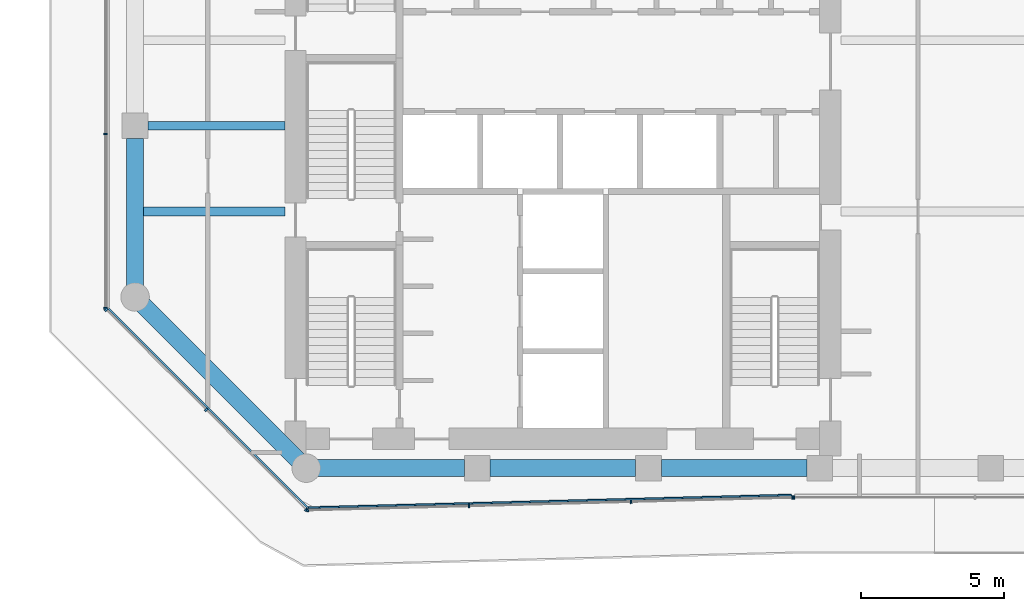
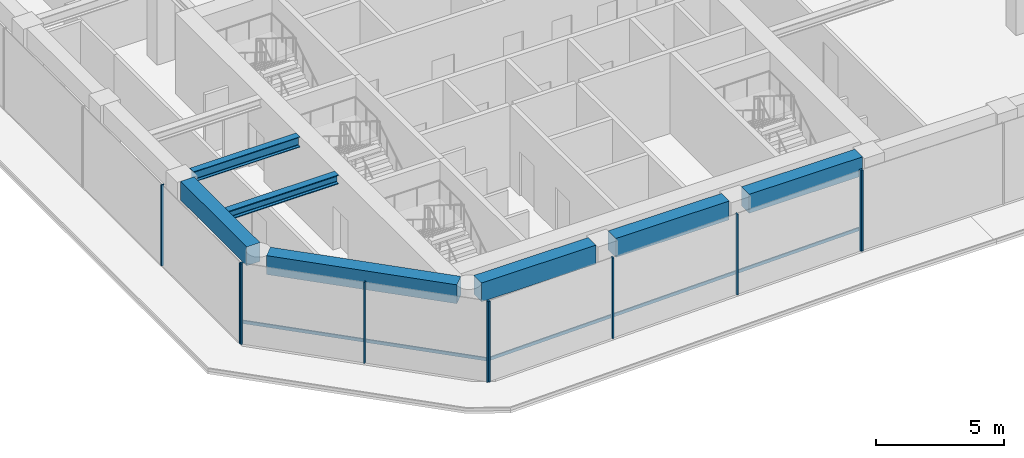
# One storey, part 2 of 23: 12 members, 7 beams, 4 elements without a shape of their own.
"""IFC4 building model written with IfcOpenShell, lengths in metres."""

from ifc_helpers import new_model, si_unit, direction, frame, origin, origin_2d, place, context, subcontext, project, spatial, rectangle, i_section, extrude, material, layer, layer_set, material_profile, profile_set, type_object, element, aggregate, save


model = new_model("IFC4")

# Units and contexts
model_context = context("Model", 3, precision=1e-05, world=origin(), true_north=direction((0.0, 1.0)))
body_context = subcontext(model_context, "Body", "Model", "MODEL_VIEW")
ifc_project = project(units=[si_unit("LENGTHUNIT", "METRE"), si_unit("AREAUNIT", "SQUARE_METRE"), si_unit("VOLUMEUNIT", "CUBIC_METRE"), si_unit("PLANEANGLEUNIT", "RADIAN"), si_unit("MASSUNIT", "GRAM", prefix="KILO")], contexts=[model_context])

# Site, building, storey
site_placement = place(None, origin())
site = spatial("IfcSite", under=ifc_project, at=site_placement, CompositionType="ELEMENT")
building_placement = place(site_placement, origin())
building = spatial("IfcBuilding", under=site, at=building_placement, Name="Welwitschia Terrace Campus", CompositionType="ELEMENT")
storey_placement = place(building_placement, frame((0.0, 0.0, 104.60009765625)))
storey = spatial("IfcBuildingStorey", under=building, at=storey_placement, Name="L23", CompositionType="ELEMENT", Elevation=104.60009765625)

# Beam
ifc_material_1 = material(Name="Steel S355", Category="steel")
ifc_material_profile_1 = material_profile(ifc_material_1, i_section(OverallWidth=0.306884765625, OverallDepth=0.431884765625, WebThickness=0.02099609375, FlangeThickness=0.0400390625, FilletRadius=0.027099609375, at=origin_2d()))
ifc_profile_set_1 = profile_set([ifc_material_profile_1], Name="Steel S355")
beam_type_1 = type_object("IfcBeamType", Name="Interior girder HE 400 M", PredefinedType="BEAM", material=ifc_profile_set_1)
beam_1_placement = place(storey_placement, frame((-0.010009765625, 13.0, 3.6337890625), z_axis=(1.0, 0.0, 0.0), x_axis=(0.0, 1.0, 0.0)))
element("IfcBeam", 1, at=beam_1_placement, inside=storey, type_object=beam_type_1, Name="Girder GB3", PredefinedType="BEAM", context=body_context, shape_type="SweptSolid", body=[
    extrude(i_section(OverallWidth=0.306884765625, OverallDepth=0.431884765625, WebThickness=0.02099609375, FlangeThickness=0.0400390625, FilletRadius=0.027099609375, at=origin_2d()), origin(), (0.0, 0.0, 1.0), 5.259033203125),
])

# Curtain wall, members
ifc_material_2 = material(Name="Bronze anodised aluminium", Category="aluminium")
ifc_layer = layer(ifc_material_2, 0.1201171875)
ifc_layer_set = layer_set([ifc_layer], Name="Bronze anodised aluminium")
curtain_wall_type = type_object("IfcCurtainWallType", Name="Curtain wall CW2 tower 6000", PredefinedType="NOTDEFINED", material=ifc_layer_set)
curtain_wall_1_placement = place(storey_placement, origin())
curtain_wall_1 = element("IfcCurtainWall", 2, at=curtain_wall_1_placement, inside=storey, type_object=curtain_wall_type, Name="CW L23.0.0", PredefinedType="NOTDEFINED")
ifc_material_3 = material(Name="Bronze anodised aluminium", Category="aluminium")
ifc_material_profile_2 = material_profile(ifc_material_3, rectangle(XDim=0.1201171875, YDim=0.06005859375, at=origin_2d()))
ifc_profile_set_2 = profile_set([ifc_material_profile_2], Name="Bronze anodised aluminium")
member_type_1 = type_object("IfcMemberType", Name="Mullion 60x120", PredefinedType="MULLION", material=ifc_profile_set_2)
member_1_placement = place(storey_placement, frame((-1.0087890625, 9.55224609375, 0.0), z_axis=(0.0, 0.0, 1.0), x_axis=(0.707106781187, 0.707106781187, 0.0)))
member_1 = element("IfcMember", 3, at=member_1_placement, type_object=member_type_1, Name="Mullion L23.0.0.0", PredefinedType="MULLION", context=body_context, shape_type="SweptSolid", body=[
    extrude(rectangle(XDim=0.1201171875, YDim=0.06005859375, at=origin_2d()), origin(), (0.0, 0.0, 1.0), 3.849853515625),
])
member_2_placement = place(storey_placement, frame((2.494873046875, 6.04833984375, 0.0), z_axis=(0.0, 0.0, 1.0), x_axis=(0.707106781187, 0.707106781187, 0.0)))
member_2 = element("IfcMember", 4, at=member_2_placement, type_object=member_type_1, Name="Mullion L23.0.0.1", PredefinedType="MULLION", context=body_context, shape_type="SweptSolid", body=[
    extrude(rectangle(XDim=0.1201171875, YDim=0.06005859375, at=origin_2d()), origin(), (0.0, 0.0, 1.0), 3.849853515625),
])
member_3_placement = place(storey_placement, frame((5.998779296875, 2.544677734375, 0.0), z_axis=(0.0, 0.0, 1.0), x_axis=(0.707106781187, 0.707106781187, 0.0)))
member_3 = element("IfcMember", 5, at=member_3_placement, type_object=member_type_1, Name="Mullion L23.0.0.2", PredefinedType="MULLION", context=body_context, shape_type="SweptSolid", body=[
    extrude(rectangle(XDim=0.1201171875, YDim=0.06005859375, at=origin_2d()), origin(), (0.0, 0.0, 1.0), 3.849853515625),
])

curtain_wall_2_placement = place(storey_placement, origin())
curtain_wall_2 = element("IfcCurtainWall", 6, at=curtain_wall_2_placement, inside=storey, type_object=curtain_wall_type, Name="CW L23.1.0", PredefinedType="NOTDEFINED")
member_4_placement = place(storey_placement, frame((6.050048828125, 2.524169921875, 0.0), z_axis=(0.0, 0.0, 1.0), x_axis=(-0.026176948308, 0.999657324976, 0.0)))
member_4 = element("IfcMember", 7, at=member_4_placement, type_object=member_type_1, Name="Mullion L23.1.0.0", PredefinedType="MULLION", context=body_context, shape_type="SweptSolid", body=[
    extrude(rectangle(XDim=0.1201171875, YDim=0.06005859375, at=origin_2d()), origin(), (0.0, 0.0, 1.0), 3.849853515625),
])
member_5_placement = place(storey_placement, frame((11.704833984375, 2.67236328125, 0.0), z_axis=(0.0, 0.0, 1.0), x_axis=(-0.026176948308, 0.999657324976, 0.0)))
member_5 = element("IfcMember", 8, at=member_5_placement, type_object=member_type_1, Name="Mullion L23.1.0.1", PredefinedType="MULLION", context=body_context, shape_type="SweptSolid", body=[
    extrude(rectangle(XDim=0.1201171875, YDim=0.06005859375, at=origin_2d()), origin(), (0.0, 0.0, 1.0), 3.849853515625),
])
member_6_placement = place(storey_placement, frame((17.3896484375, 2.821044921875, 0.0), z_axis=(0.0, 0.0, 1.0), x_axis=(-0.026176948308, 0.999657324976, 0.0)))
member_6 = element("IfcMember", 9, at=member_6_placement, type_object=member_type_1, Name="Mullion L23.1.0.2", PredefinedType="MULLION", context=body_context, shape_type="SweptSolid", body=[
    extrude(rectangle(XDim=0.1201171875, YDim=0.06005859375, at=origin_2d()), origin(), (0.0, 0.0, 1.0), 3.849853515625),
])
member_7_placement = place(storey_placement, frame((23.04443359375, 2.96923828125, 0.0), z_axis=(0.0, 0.0, 1.0), x_axis=(-0.026176948308, 0.999657324976, 0.0)))
member_7 = element("IfcMember", 10, at=member_7_placement, type_object=member_type_1, Name="Mullion L23.1.0.3", PredefinedType="MULLION", context=body_context, shape_type="SweptSolid", body=[
    extrude(rectangle(XDim=0.1201171875, YDim=0.06005859375, at=origin_2d()), origin(), (0.0, 0.0, 1.0), 3.849853515625),
])

# Curtain wall, member
curtain_wall_3_placement = place(storey_placement, origin())
curtain_wall_3 = element("IfcCurtainWall", 11, at=curtain_wall_3_placement, inside=storey, type_object=curtain_wall_type, Name="CW L23.2.0", PredefinedType="NOTDEFINED")
member_8_placement = place(storey_placement, frame((23.1044921875, 2.969970703125, 0.0), z_axis=(0.0, 0.0, 1.0), x_axis=(0.0, 1.0, 0.0)))
member_8 = element("IfcMember", 12, at=member_8_placement, type_object=member_type_1, Name="Mullion L23.2.0.0", PredefinedType="MULLION", context=body_context, shape_type="SweptSolid", body=[
    extrude(rectangle(XDim=0.1201171875, YDim=0.06005859375, at=origin_2d()), origin(), (0.0, 0.0, 1.0), 3.849853515625),
])
aggregate(curtain_wall_3, [member_8])

# Curtain wall, members
curtain_wall_4_placement = place(storey_placement, origin())
curtain_wall_4 = element("IfcCurtainWall", 13, at=curtain_wall_4_placement, inside=storey, type_object=curtain_wall_type, Name="CW L23.12.0", PredefinedType="NOTDEFINED")
member_9_placement = place(storey_placement, frame((-1.030029296875, 15.718994140625, 0.0), z_axis=(0.0, 0.0, 1.0), x_axis=(1.0, 0.0, 0.0)))
member_9 = element("IfcMember", 14, at=member_9_placement, type_object=member_type_1, Name="Mullion L23.12.0.9", PredefinedType="MULLION", context=body_context, shape_type="SweptSolid", body=[
    extrude(rectangle(XDim=0.1201171875, YDim=0.06005859375, at=origin_2d()), origin(), (0.0, 0.0, 1.0), 3.849853515625),
])
member_10_placement = place(storey_placement, frame((-1.030029296875, 9.603271484375, 0.0), z_axis=(0.0, 0.0, 1.0), x_axis=(1.0, 0.0, 0.0)))
member_10 = element("IfcMember", 15, at=member_10_placement, type_object=member_type_1, Name="Mullion L23.12.0.10", PredefinedType="MULLION", context=body_context, shape_type="SweptSolid", body=[
    extrude(rectangle(XDim=0.1201171875, YDim=0.06005859375, at=origin_2d()), origin(), (0.0, 0.0, 1.0), 3.849853515625),
])
aggregate(curtain_wall_4, [member_9, member_10])

# Beams
ifc_material_4 = material(Name="Steel S355", Category="steel")
ifc_material_profile_3 = material_profile(ifc_material_4, i_section(OverallWidth=0.300048828125, OverallDepth=0.5, WebThickness=0.014404296875, FlangeThickness=0.028076171875, FilletRadius=0.027099609375, at=origin_2d()))
ifc_profile_set_3 = profile_set([ifc_material_profile_3], Name="Steel S355")
beam_type_2 = type_object("IfcBeamType", Name="Primary beam HE 500 B", PredefinedType="BEAM", material=ifc_profile_set_3)
beam_2_placement = place(storey_placement, frame((0.450439453125, 16.0, 3.599853515625), z_axis=(1.0, 0.0, 0.0), x_axis=(0.0, 1.0, 0.0)))
element("IfcBeam", 16, at=beam_2_placement, inside=storey, type_object=beam_type_2, Name="Primary beam PB3", PredefinedType="BEAM", context=body_context, shape_type="SweptSolid", body=[
    extrude(i_section(OverallWidth=0.300048828125, OverallDepth=0.5, WebThickness=0.014404296875, FlangeThickness=0.028076171875, FilletRadius=0.027099609375, at=origin_2d()), origin(), (0.0, 0.0, 1.0), 4.799560546875),
])
ifc_material_5 = material(Name="Concrete C60/75", Category="concrete")
ifc_material_profile_4 = material_profile(ifc_material_5, rectangle(XDim=0.60009765625, YDim=0.89990234375, at=origin_2d()))
ifc_profile_set_4 = profile_set([ifc_material_profile_4], Name="Concrete C60/75")
beam_type_3 = type_object("IfcBeamType", Name="Ring spandrel 600x900", PredefinedType="SPANDREL", material=ifc_profile_set_4)
beam_3_placement = place(storey_placement, frame((0.283203125, 9.716796875, 3.39990234375), z_axis=(0.707106781187, -0.707106781187, 0.0), x_axis=(0.707106781187, 0.707106781187, 0.0)))
element("IfcBeam", 17, at=beam_3_placement, inside=storey, type_object=beam_type_3, Name="Spandrel SP2", PredefinedType="SPANDREL", context=body_context, shape_type="SweptSolid", body=[
    extrude(rectangle(XDim=0.60009765625, YDim=0.89990234375, at=origin_2d()), origin(), (0.0, 0.0, 1.0), 7.684326171875),
])
beam_4_placement = place(storey_placement, frame((6.400390625, 4.0, 3.39990234375), z_axis=(1.0, 0.0, 0.0), x_axis=(0.0, 1.0, 0.0)))
element("IfcBeam", 18, at=beam_4_placement, inside=storey, type_object=beam_type_3, Name="Spandrel SP2", PredefinedType="SPANDREL", context=body_context, shape_type="SweptSolid", body=[
    extrude(rectangle(XDim=0.60009765625, YDim=0.89990234375, at=origin_2d()), origin(), (0.0, 0.0, 1.0), 5.149169921875),
])
for number, where, z_axis, x_axis, name in (
    (19, (12.450439453125, 4.0, 3.39990234375), (1.0, 0.0, 0.0), (0.0, 1.0, 0.0), "Spandrel SP2"),
    (20, (18.450439453125, 4.0, 3.39990234375), (1.0, 0.0, 0.0), (0.0, 1.0, 0.0), "Spandrel SP2"),
):
    element("IfcBeam", number, at=place(storey_placement, frame(where, z_axis=z_axis, x_axis=x_axis)), inside=storey, type_object=beam_type_3, Name=name, PredefinedType="SPANDREL", context=body_context, shape_type="SweptSolid", body=[
        extrude(rectangle(XDim=0.60009765625, YDim=0.89990234375, at=origin_2d()), origin(), (0.0, 0.0, 1.0), 5.09912109375),
    ])
beam_5_placement = place(storey_placement, frame((0.0, 15.549560546875, 3.39990234375), z_axis=(0.0, -1.0, 0.0), x_axis=(1.0, 0.0, 0.0)))
element("IfcBeam", 21, at=beam_5_placement, inside=storey, type_object=beam_type_3, Name="Spandrel SP2", PredefinedType="SPANDREL", context=body_context, shape_type="SweptSolid", body=[
    extrude(rectangle(XDim=0.60009765625, YDim=0.89990234375, at=origin_2d()), origin(), (0.0, 0.0, 1.0), 5.149169921875),
])

# Member
ifc_material_6 = material(Name="Bronze anodised aluminium", Category="aluminium")
ifc_material_profile_5 = material_profile(ifc_material_6, rectangle(XDim=0.06005859375, YDim=0.14990234375, at=origin_2d()))
ifc_profile_set_5 = profile_set([ifc_material_profile_5], Name="Bronze anodised aluminium")
member_type_2 = type_object("IfcMemberType", Name="Transom 60x150", PredefinedType="USERDEFINED", material=ifc_profile_set_5)
member_11_placement = place(storey_placement, frame((-0.923828125, 9.594482421875, 1.0), z_axis=(0.707106781187, -0.707106781187, 0.0), x_axis=(0.707106781187, 0.707106781187, 0.0)))
member_11 = element("IfcMember", 22, at=member_11_placement, type_object=member_type_2, Name="Transom L23.0.0", ObjectType="TRANSOM", PredefinedType="USERDEFINED", context=body_context, shape_type="SweptSolid", body=[
    extrude(rectangle(XDim=0.06005859375, YDim=0.14990234375, at=origin_2d()), origin(), (0.0, 0.0, 1.0), 9.85009765625),
])

aggregate(curtain_wall_1, [member_1, member_2, member_3, member_11])

member_12_placement = place(storey_placement, frame((6.07763671875, 2.614990234375, 1.0), z_axis=(0.999657450955, 0.026172136888, 0.0), x_axis=(-0.026172136888, 0.999657450955, 0.0)))
member_12 = element("IfcMember", 23, at=member_12_placement, type_object=member_type_2, Name="Transom L23.1.0", ObjectType="TRANSOM", PredefinedType="USERDEFINED", context=body_context, shape_type="SweptSolid", body=[
    extrude(rectangle(XDim=0.06005859375, YDim=0.14990234375, at=origin_2d()), origin(), (0.0, 0.0, 1.0), 16.940185546875),
])

aggregate(curtain_wall_2, [member_4, member_5, member_6, member_7, member_12])

save(model, "model.ifc")
